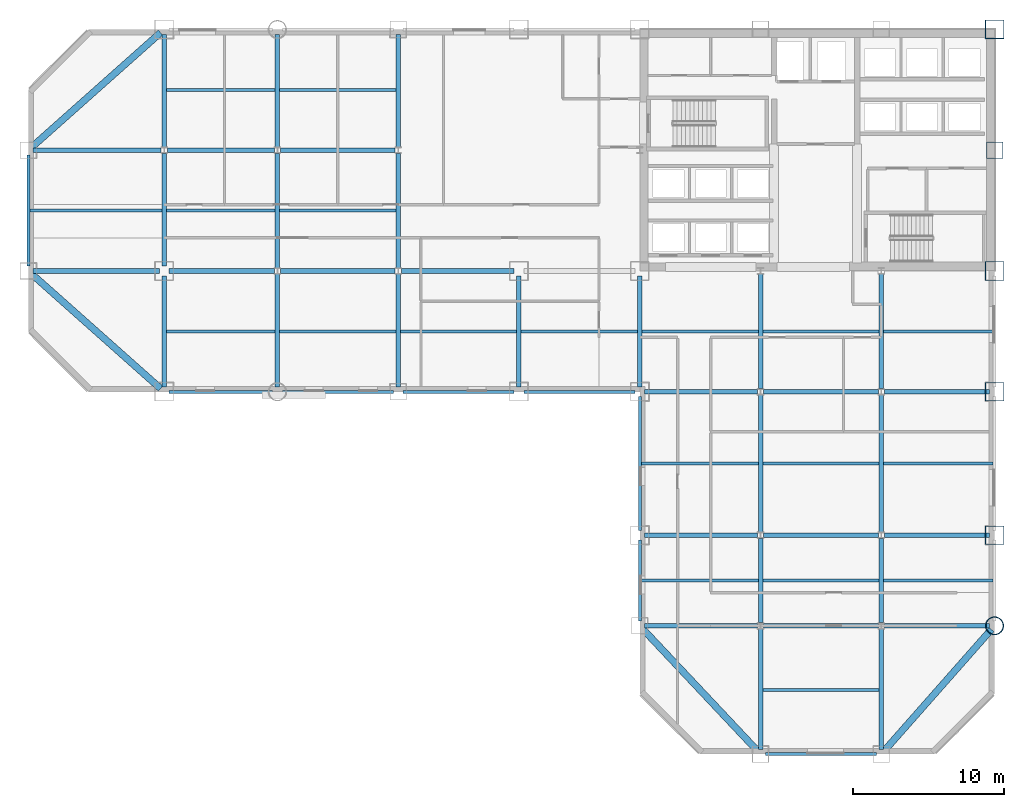
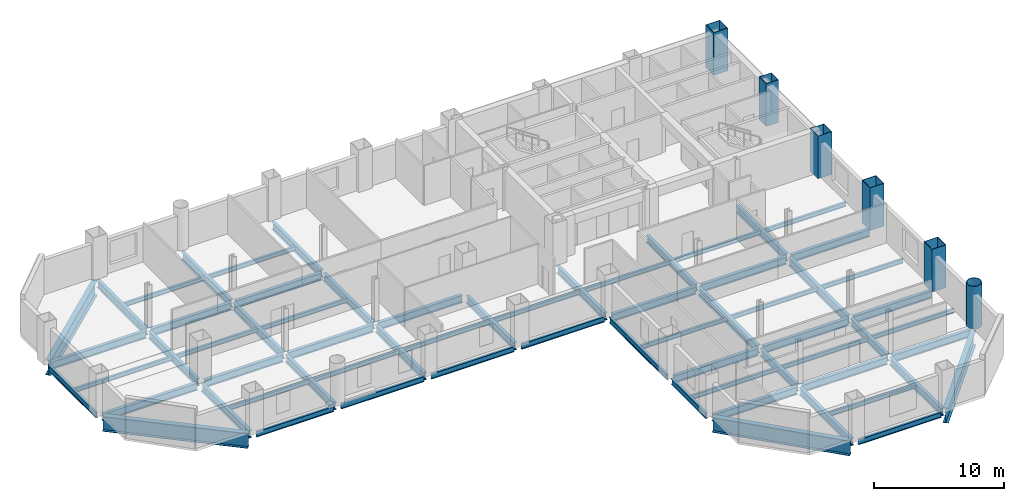
# One storey, part 3 of 9: 66 beams, 6 columns.
"""IFC4 building model written with IfcOpenShell, lengths in metres."""

import ifcopenshell
import ifcopenshell.guid

model = None  # the IFC model being written
_history = None  # IfcOwnerHistory: only IFC2X3 demands one
_inside = {}  # id of a spatial element -> (the spatial element, [elements in it])
_under = {}  # id of a project, library or spatial element -> (it, [spatial elements below it])
_declared = {}  # id of a project -> (the project, [libraries it declares])
_typed = {}  # id of a type object -> (the type object, [elements of that type])
_made_of = {}  # id of a material, layer set ... -> (it, [elements and type objects made of it])


def new_model(schema):
    """Start an empty IFC model of exactly this schema.

    Asked for "IFC4X3", IfcOpenShell would pick the latest addendum, in which some entities
    have other attributes; the version numbers below select the first issue.
    IFC2X3 requires an IfcOwnerHistory on every rooted entity: one is made here for all.
    """
    global model, _history
    if schema == "IFC4X3":
        model = ifcopenshell.file(schema_version=(4, 3, 0, 0))
    else:
        model = ifcopenshell.file(schema=schema)
    _inside.clear()
    _under.clear()
    _declared.clear()
    _typed.clear()
    _made_of.clear()
    _history = None
    if model.schema == "IFC2X3":
        org = make("IfcOrganization", Name="unknown")
        user = make(
            "IfcPersonAndOrganization",
            ThePerson=make("IfcPerson", FamilyName="unknown"),
            TheOrganization=org,
        )
        app = make(
            "IfcApplication",
            ApplicationDeveloper=org,
            Version="unknown",
            ApplicationFullName="unknown",
            ApplicationIdentifier="unknown",
        )
        _history = make(
            "IfcOwnerHistory",
            OwningUser=user,
            OwningApplication=app,
            ChangeAction="ADDED",
            CreationDate=0,
        )
    return model


def make(cls, **values):
    """One entity of the class cls with the attributes given. An attribute that is None is left unset."""
    return model.create_entity(
        cls, **{name: value for name, value in values.items() if value is not None}
    )


def rooted(cls, **values):
    """An entity with a GlobalId (a new one), such as an element, a storey or a relation."""
    return make(cls, GlobalId=ifcopenshell.guid.new(), OwnerHistory=_history, **values)


def si_unit(unit_type, name, prefix=None):
    """IfcSIUnit, for example si_unit("LENGTHUNIT", "METRE", prefix="MILLI")."""
    return make("IfcSIUnit", UnitType=unit_type, Prefix=prefix, Name=name)


def assignment(units):
    """IfcUnitAssignment: the units of a project."""
    return None if units is None else make("IfcUnitAssignment", Units=units)


def point(xyz):
    """IfcCartesianPoint."""
    return None if xyz is None else make("IfcCartesianPoint", Coordinates=xyz)


def direction(xyz):
    """IfcDirection."""
    return None if xyz is None else make("IfcDirection", DirectionRatios=xyz)


def frame(location, z_axis=None, x_axis=None):
    """IfcAxis2Placement3D, a coordinate frame: its origin and axes. An axis left out is left unset."""
    return make(
        "IfcAxis2Placement3D",
        Location=point(location),
        Axis=direction(z_axis),
        RefDirection=direction(x_axis),
    )


def frame_2d(location, x_axis=None):
    """IfcAxis2Placement2D, a coordinate frame in the plane: its origin and x axis."""
    return make(
        "IfcAxis2Placement2D", Location=point(location), RefDirection=direction(x_axis)
    )


def origin():
    """The frame at (0, 0, 0) with its axes left unset."""
    return frame((0.0, 0.0, 0.0))


def origin_2d():
    """The frame at (0, 0) in the plane with its x axis left unset."""
    return frame_2d((0.0, 0.0))


def place(relative_to, where):
    """IfcLocalPlacement: puts the frame where relative to a parent placement (None: the world)."""
    return make(
        "IfcLocalPlacement", PlacementRelTo=relative_to, RelativePlacement=where
    )


def context(
    kind, dimensions, precision=None, world=None, true_north=None, identifier=None
):
    """IfcGeometricRepresentationContext, for example the 3D "Model" context."""
    return make(
        "IfcGeometricRepresentationContext",
        ContextIdentifier=identifier,
        ContextType=kind,
        CoordinateSpaceDimension=dimensions,
        Precision=precision,
        WorldCoordinateSystem=world,
        TrueNorth=true_north,
    )


def subcontext(parent, identifier, kind, view, scale=None):
    """IfcGeometricRepresentationSubContext, for example "Body" below "Model"."""
    return make(
        "IfcGeometricRepresentationSubContext",
        ContextIdentifier=identifier,
        ContextType=kind,
        ParentContext=parent,
        TargetScale=scale,
        TargetView=view,
    )


def project(units=None, contexts=None):
    """IfcProject with its units and contexts."""
    return rooted(
        "IfcProject",
        Name="project",
        RepresentationContexts=contexts,
        UnitsInContext=assignment(units),
    )


def spatial(cls, under=None, at=None, **own):
    """A site, building, storey or space (cls), placed at a placement, below another one or the project."""
    s = rooted(cls, ObjectPlacement=at, **own)
    if under is not None:
        _under.setdefault(under.id(), (under, []))[1].append(s)
    return s


def profile(cls, at=None, kind="AREA", **sizes):
    """A parametric profile (cls). Its sizes go by their IFC names, for example OverallWidth=200.0."""
    return make(cls, ProfileType=kind, Position=at, **sizes)


def hollow_rectangle(**sizes):
    """IfcRectangleHollowProfileDef."""
    return profile("IfcRectangleHollowProfileDef", **sizes)


def hollow_circle(**sizes):
    """IfcCircleHollowProfileDef."""
    return profile("IfcCircleHollowProfileDef", **sizes)


def i_section(**sizes):
    """IfcIShapeProfileDef."""
    return profile("IfcIShapeProfileDef", **sizes)


def extrude(swept, where, along, depth):
    """IfcExtrudedAreaSolid: the profile swept, set in the frame where, extruded along a direction by depth."""
    return make(
        "IfcExtrudedAreaSolid",
        SweptArea=swept,
        Position=where,
        ExtrudedDirection=direction(along),
        Depth=depth,
    )


def shape(context_of_items, identifier, shape_type, items):
    """IfcShapeRepresentation: the items that make up one representation, for example the "Body"."""
    return make(
        "IfcShapeRepresentation",
        ContextOfItems=context_of_items,
        RepresentationIdentifier=identifier,
        RepresentationType=shape_type,
        Items=items,
    )


def material(Name=None, Category=None):
    """IfcMaterial."""
    return make("IfcMaterial", Name=Name, Category=Category)


def material_profile(
    of_material, cross_section, Name=None, Category=None, Priority=None
):
    """IfcMaterialProfile: a cross section and its material."""
    return make(
        "IfcMaterialProfile",
        Name=Name,
        Material=of_material,
        Profile=cross_section,
        Priority=Priority,
        Category=Category,
    )


def profile_set(profiles, Name=None, composite=None):
    """IfcMaterialProfileSet."""
    return make(
        "IfcMaterialProfileSet",
        Name=Name,
        MaterialProfiles=profiles,
        CompositeProfile=composite,
    )


def made_of(thing, what):
    """Note that an element or type object is made of a material, layer set ...; save() writes the relation."""
    if what is not None:
        _made_of.setdefault(what.id(), (what, []))[1].append(thing)
    return thing


def type_object(cls, material=None, **own):
    """A type object (cls), such as IfcWallType, which elements share."""
    return made_of(rooted(cls, **own), material)


def element(
    cls,
    number,
    at=None,
    inside=None,
    cuts=None,
    type_object=None,
    material=None,
    context=None,
    identifier="Body",
    shape_type=None,
    held_by="IfcProductDefinitionShape",
    body=None,
    shapes=None,
    **own,
):
    """One element of the class cls, such as IfcWall. Its Tag is "e" and its number.

    at: its placement. inside: the storey or other place that contains it. cuts: it is an
    opening in that element (IfcRelVoidsElement). A single representation is given by context,
    identifier, shape_type and body (its items); several are given by shapes. held_by: the class
    of the entity that holds the representations. save() writes the other relations.
    """
    e = rooted(cls, Tag="e%d" % number, ObjectPlacement=at, **own)
    if body is not None:
        shapes = [shape(context, identifier, shape_type, body)]
    if shapes is not None:
        e.Representation = make(held_by, Representations=shapes)
    if inside is not None:
        _inside.setdefault(inside.id(), (inside, []))[1].append(e)
    if cuts is not None:
        rooted(
            "IfcRelVoidsElement", RelatingBuildingElement=cuts, RelatedOpeningElement=e
        )
    if type_object is not None:
        _typed.setdefault(type_object.id(), (type_object, []))[1].append(e)
    return made_of(e, material)


def aggregate(whole, parts):
    """IfcRelAggregates: a whole, such as a stair, and the parts it consists of."""
    return rooted("IfcRelAggregates", RelatingObject=whole, RelatedObjects=parts)


def save(model, path):
    """Write the relations noted so far, then the file.

    IfcRelAggregates (storeys below a building ...), IfcRelContainedInSpatialStructure (elements
    in a storey), IfcRelDefinesByType, IfcRelAssociatesMaterial and IfcRelDeclares: one each for
    every whole, place, type object, material and project.
    """
    for whole, parts in _under.values():
        aggregate(whole, parts)
    for where, things in _inside.values():
        rooted(
            "IfcRelContainedInSpatialStructure",
            RelatedElements=things,
            RelatingStructure=where,
        )
    for kind, things in _typed.values():
        rooted("IfcRelDefinesByType", RelatedObjects=things, RelatingType=kind)
    for what, things in _made_of.values():
        rooted("IfcRelAssociatesMaterial", RelatedObjects=things, RelatingMaterial=what)
    for by, libraries in _declared.values():
        rooted("IfcRelDeclares", RelatingContext=by, RelatedDefinitions=libraries)
    model.write(path)


model = new_model("IFC4")

# Units and contexts
model_context = context("Model", 3, precision=1e-05, world=origin(), true_north=direction((0.0, 1.0)))
body_context = subcontext(model_context, "Body", "Model", "MODEL_VIEW")
ifc_project = project(units=[si_unit("LENGTHUNIT", "METRE"), si_unit("AREAUNIT", "SQUARE_METRE"), si_unit("VOLUMEUNIT", "CUBIC_METRE"), si_unit("PLANEANGLEUNIT", "RADIAN"), si_unit("MASSUNIT", "GRAM", prefix="KILO")], contexts=[model_context])

# Site, building, storey
site_placement = place(None, origin())
site = spatial("IfcSite", under=ifc_project, at=site_placement, CompositionType="ELEMENT")
building_placement = place(site_placement, origin())
building = spatial("IfcBuilding", under=site, at=building_placement, Name="Qianrong Seaharbour Tower", CompositionType="ELEMENT")
storey_placement = place(building_placement, frame((0.0, 0.0, 84.199951171875)))
storey = spatial("IfcBuildingStorey", under=building, at=storey_placement, Name="L20", CompositionType="ELEMENT", Elevation=84.199951171875)

# Columns
ifc_material_1 = material(Name="Structural steel SN490B", Category="steel")
ifc_material_profile_1 = material_profile(ifc_material_1, hollow_rectangle(XDim=1.25, YDim=1.25, WallThickness=0.044921875, at=origin_2d()), Name="BOX1250x1250x45")
ifc_profile_set_1 = profile_set([ifc_material_profile_1], Name="Structural steel SN490B")
column_type_1 = type_object("IfcColumnType", Name="COL-CFT-1250", PredefinedType="COLUMN", material=ifc_profile_set_1)
for number, where, z_axis, x_axis, name in (
    (1, (64.0, 18.5, 0.0), (0.0, 0.0, 1.0), (1.0, 0.0, 0.0), "L20 Column MC-2 at G9/GD"),
    (2, (64.0, 28.0, 0.0), (0.0, 0.0, 1.0), (1.0, 0.0, 0.0), "L20 Column MC-2 at G9/GE"),
    (3, (64.0, 36.0, 0.0), (0.0, 0.0, 1.0), (1.0, 0.0, 0.0), "L20 Column MC-2 at G9/GF"),
    (4, (64.0, 52.0, 0.0), (0.0, 0.0, 1.0), (1.0, 0.0, 0.0), "L20 Column MC-2 at G9/GH"),
):
    element("IfcColumn", number, at=place(storey_placement, frame(where, z_axis=z_axis, x_axis=x_axis)), inside=storey, type_object=column_type_1, Name=name, PredefinedType="COLUMN", context=body_context, shape_type="SweptSolid", body=[
        extrude(hollow_rectangle(XDim=1.25, YDim=1.25, WallThickness=0.044921875, at=origin_2d()), origin(), (0.0, 0.0, 1.0), 4.0),
    ])
ifc_material_profile_2 = material_profile(ifc_material_1, hollow_circle(Radius=0.60009765625, WallThickness=0.0400390625, at=origin_2d()), Name="CHS1200x40")
ifc_profile_set_2 = profile_set([ifc_material_profile_2], Name="Structural steel SN490B")
column_type_2 = type_object("IfcColumnType", Name="COL-CHS-1200", PredefinedType="COLUMN", material=ifc_profile_set_2)
column_1_placement = place(storey_placement, frame((64.0, 12.5, 0.0), z_axis=(0.0, 0.0, 1.0), x_axis=(1.0, 0.0, 0.0)))
element("IfcColumn", 5, at=column_1_placement, inside=storey, type_object=column_type_2, Name="L20 Column CC-1 at G9/GC", PredefinedType="COLUMN", context=body_context, shape_type="SweptSolid", body=[
    extrude(hollow_circle(Radius=0.60009765625, WallThickness=0.0400390625, at=origin_2d()), origin(), (0.0, 0.0, 1.0), 4.0),
])
ifc_material_profile_3 = material_profile(ifc_material_1, hollow_rectangle(XDim=1.10009765625, YDim=1.10009765625, WallThickness=0.0400390625, at=origin_2d()), Name="BOX1100x1100x40")
ifc_profile_set_3 = profile_set([ifc_material_profile_3], Name="Structural steel SN490B")
column_type_3 = type_object("IfcColumnType", Name="COL-PER-1100", PredefinedType="COLUMN", material=ifc_profile_set_3)
column_2_placement = place(storey_placement, frame((64.0, 44.0, 0.0), z_axis=(0.0, 0.0, 1.0), x_axis=(1.0, 0.0, 0.0)))
element("IfcColumn", 6, at=column_2_placement, inside=storey, type_object=column_type_3, Name="L20 Column PC-1 at G9/GG", PredefinedType="COLUMN", context=body_context, shape_type="SweptSolid", body=[
    extrude(hollow_rectangle(XDim=1.10009765625, YDim=1.10009765625, WallThickness=0.0400390625, at=origin_2d()), origin(), (0.0, 0.0, 1.0), 4.0),
])

# Beams
ifc_material_profile_4 = material_profile(ifc_material_1, i_section(OverallWidth=0.300048828125, OverallDepth=0.699951171875, WebThickness=0.012939453125, FlangeThickness=0.02392578125, FilletRadius=0.02587890625, at=origin_2d()), Name="H700x300x13x24")
ifc_profile_set_4 = profile_set([ifc_material_profile_4], Name="Structural steel SN490B")
beam_type_1 = type_object("IfcBeamType", Name="BM-G-700", PredefinedType="BEAM", material=ifc_profile_set_4)
beam_1_placement = place(storey_placement, frame((40.820068359375, 12.5, -0.599853515625), z_axis=(1.0, 0.0, 0.0), x_axis=(0.0, 1.0, 0.0)))
element("IfcBeam", 7, at=beam_1_placement, inside=storey, type_object=beam_type_1, Name="L20 Primary Girder GC G6-G7", PredefinedType="BEAM", context=body_context, shape_type="SweptSolid", body=[
    extrude(i_section(OverallWidth=0.300048828125, OverallDepth=0.699951171875, WebThickness=0.012939453125, FlangeThickness=0.02392578125, FilletRadius=0.02587890625, at=origin_2d()), origin(), (0.0, 0.0, 1.0), 7.476318359375),
])
beam_2_placement = place(storey_placement, frame((48.70361328125, 12.5, -0.599853515625), z_axis=(1.0, 0.0, 0.0), x_axis=(0.0, 1.0, 0.0)))
element("IfcBeam", 8, at=beam_2_placement, inside=storey, type_object=beam_type_1, Name="L20 Primary Girder GC G7-G8", PredefinedType="BEAM", context=body_context, shape_type="SweptSolid", body=[
    extrude(i_section(OverallWidth=0.300048828125, OverallDepth=0.699951171875, WebThickness=0.012939453125, FlangeThickness=0.02392578125, FilletRadius=0.02587890625, at=origin_2d()), origin(), (0.0, 0.0, 1.0), 7.5927734375),
])
beam_3_placement = place(storey_placement, frame((56.70361328125, 12.5, -0.599853515625), z_axis=(1.0, 0.0, 0.0), x_axis=(0.0, 1.0, 0.0)))
element("IfcBeam", 9, at=beam_3_placement, inside=storey, type_object=beam_type_1, Name="L20 Primary Girder GC G8-G9", PredefinedType="BEAM", context=body_context, shape_type="SweptSolid", body=[
    extrude(i_section(OverallWidth=0.300048828125, OverallDepth=0.699951171875, WebThickness=0.012939453125, FlangeThickness=0.02392578125, FilletRadius=0.02587890625, at=origin_2d()), origin(), (0.0, 0.0, 1.0), 6.976318359375),
])
beam_4_placement = place(storey_placement, frame((40.820068359375, 18.5, -0.599853515625), z_axis=(1.0, 0.0, 0.0), x_axis=(0.0, 1.0, 0.0)))
element("IfcBeam", 10, at=beam_4_placement, inside=storey, type_object=beam_type_1, Name="L20 Primary Girder GD G6-G7", PredefinedType="BEAM", context=body_context, shape_type="SweptSolid", body=[
    extrude(i_section(OverallWidth=0.300048828125, OverallDepth=0.699951171875, WebThickness=0.012939453125, FlangeThickness=0.02392578125, FilletRadius=0.02587890625, at=origin_2d()), origin(), (0.0, 0.0, 1.0), 7.476318359375),
])
beam_5_placement = place(storey_placement, frame((48.70361328125, 18.5, -0.599853515625), z_axis=(1.0, 0.0, 0.0), x_axis=(0.0, 1.0, 0.0)))
element("IfcBeam", 11, at=beam_5_placement, inside=storey, type_object=beam_type_1, Name="L20 Primary Girder GD G7-G8", PredefinedType="BEAM", context=body_context, shape_type="SweptSolid", body=[
    extrude(i_section(OverallWidth=0.300048828125, OverallDepth=0.699951171875, WebThickness=0.012939453125, FlangeThickness=0.02392578125, FilletRadius=0.02587890625, at=origin_2d()), origin(), (0.0, 0.0, 1.0), 7.5927734375),
])
beam_6_placement = place(storey_placement, frame((56.70361328125, 18.5, -0.599853515625), z_axis=(1.0, 0.0, 0.0), x_axis=(0.0, 1.0, 0.0)))
element("IfcBeam", 12, at=beam_6_placement, inside=storey, type_object=beam_type_1, Name="L20 Primary Girder GD G8-G9", PredefinedType="BEAM", context=body_context, shape_type="SweptSolid", body=[
    extrude(i_section(OverallWidth=0.300048828125, OverallDepth=0.699951171875, WebThickness=0.012939453125, FlangeThickness=0.02392578125, FilletRadius=0.02587890625, at=origin_2d()), origin(), (0.0, 0.0, 1.0), 6.976318359375),
])
beam_7_placement = place(storey_placement, frame((40.820068359375, 28.0, -0.599853515625), z_axis=(1.0, 0.0, 0.0), x_axis=(0.0, 1.0, 0.0)))
element("IfcBeam", 13, at=beam_7_placement, inside=storey, type_object=beam_type_1, Name="L20 Primary Girder GE G6-G7", PredefinedType="BEAM", context=body_context, shape_type="SweptSolid", body=[
    extrude(i_section(OverallWidth=0.300048828125, OverallDepth=0.699951171875, WebThickness=0.012939453125, FlangeThickness=0.02392578125, FilletRadius=0.02587890625, at=origin_2d()), origin(), (0.0, 0.0, 1.0), 7.476318359375),
])
beam_8_placement = place(storey_placement, frame((48.70361328125, 28.0, -0.599853515625), z_axis=(1.0, 0.0, 0.0), x_axis=(0.0, 1.0, 0.0)))
element("IfcBeam", 14, at=beam_8_placement, inside=storey, type_object=beam_type_1, Name="L20 Primary Girder GE G7-G8", PredefinedType="BEAM", context=body_context, shape_type="SweptSolid", body=[
    extrude(i_section(OverallWidth=0.300048828125, OverallDepth=0.699951171875, WebThickness=0.012939453125, FlangeThickness=0.02392578125, FilletRadius=0.02587890625, at=origin_2d()), origin(), (0.0, 0.0, 1.0), 7.5927734375),
])
beam_9_placement = place(storey_placement, frame((56.70361328125, 28.0, -0.599853515625), z_axis=(1.0, 0.0, 0.0), x_axis=(0.0, 1.0, 0.0)))
element("IfcBeam", 15, at=beam_9_placement, inside=storey, type_object=beam_type_1, Name="L20 Primary Girder GE G8-G9", PredefinedType="BEAM", context=body_context, shape_type="SweptSolid", body=[
    extrude(i_section(OverallWidth=0.300048828125, OverallDepth=0.699951171875, WebThickness=0.012939453125, FlangeThickness=0.02392578125, FilletRadius=0.02587890625, at=origin_2d()), origin(), (0.0, 0.0, 1.0), 6.976318359375),
])
beam_10_placement = place(storey_placement, frame((0.320068359375, 36.0, -0.599853515625), z_axis=(1.0, 0.0, 0.0), x_axis=(0.0, 1.0, 0.0)))
element("IfcBeam", 16, at=beam_10_placement, inside=storey, type_object=beam_type_1, Name="L20 Primary Girder GF G1-G2", PredefinedType="BEAM", context=body_context, shape_type="SweptSolid", body=[
    extrude(i_section(OverallWidth=0.300048828125, OverallDepth=0.699951171875, WebThickness=0.012939453125, FlangeThickness=0.02392578125, FilletRadius=0.02587890625, at=origin_2d()), origin(), (0.0, 0.0, 1.0), 8.35986328125),
])
beam_11_placement = place(storey_placement, frame((9.320068359375, 36.0, -0.599853515625), z_axis=(1.0, 0.0, 0.0), x_axis=(0.0, 1.0, 0.0)))
element("IfcBeam", 17, at=beam_11_placement, inside=storey, type_object=beam_type_1, Name="L20 Primary Girder GF G2-G3", PredefinedType="BEAM", context=body_context, shape_type="SweptSolid", body=[
    extrude(i_section(OverallWidth=0.300048828125, OverallDepth=0.699951171875, WebThickness=0.012939453125, FlangeThickness=0.02392578125, FilletRadius=0.02587890625, at=origin_2d()), origin(), (0.0, 0.0, 1.0), 6.976318359375),
])
beam_12_placement = place(storey_placement, frame((16.70361328125, 36.0, -0.599853515625), z_axis=(1.0, 0.0, 0.0), x_axis=(0.0, 1.0, 0.0)))
element("IfcBeam", 18, at=beam_12_placement, inside=storey, type_object=beam_type_1, Name="L20 Primary Girder GF G3-G4", PredefinedType="BEAM", context=body_context, shape_type="SweptSolid", body=[
    extrude(i_section(OverallWidth=0.300048828125, OverallDepth=0.699951171875, WebThickness=0.012939453125, FlangeThickness=0.02392578125, FilletRadius=0.02587890625, at=origin_2d()), origin(), (0.0, 0.0, 1.0), 7.5927734375),
])
beam_13_placement = place(storey_placement, frame((24.70361328125, 36.0, -0.599853515625), z_axis=(1.0, 0.0, 0.0), x_axis=(0.0, 1.0, 0.0)))
element("IfcBeam", 19, at=beam_13_placement, inside=storey, type_object=beam_type_1, Name="L20 Primary Girder GF G4-G5", PredefinedType="BEAM", context=body_context, shape_type="SweptSolid", body=[
    extrude(i_section(OverallWidth=0.300048828125, OverallDepth=0.699951171875, WebThickness=0.012939453125, FlangeThickness=0.02392578125, FilletRadius=0.02587890625, at=origin_2d()), origin(), (0.0, 0.0, 1.0), 7.476318359375),
])
beam_14_placement = place(storey_placement, frame((0.320068359375, 44.0, -0.599853515625), z_axis=(1.0, 0.0, 0.0), x_axis=(0.0, 1.0, 0.0)))
element("IfcBeam", 20, at=beam_14_placement, inside=storey, type_object=beam_type_1, Name="L20 Primary Girder GG G1-G2", PredefinedType="BEAM", context=body_context, shape_type="SweptSolid", body=[
    extrude(i_section(OverallWidth=0.300048828125, OverallDepth=0.699951171875, WebThickness=0.012939453125, FlangeThickness=0.02392578125, FilletRadius=0.02587890625, at=origin_2d()), origin(), (0.0, 0.0, 1.0), 8.476318359375),
])
beam_15_placement = place(storey_placement, frame((9.20361328125, 44.0, -0.599853515625), z_axis=(1.0, 0.0, 0.0), x_axis=(0.0, 1.0, 0.0)))
element("IfcBeam", 21, at=beam_15_placement, inside=storey, type_object=beam_type_1, Name="L20 Primary Girder GG G2-G3", PredefinedType="BEAM", context=body_context, shape_type="SweptSolid", body=[
    extrude(i_section(OverallWidth=0.300048828125, OverallDepth=0.699951171875, WebThickness=0.012939453125, FlangeThickness=0.02392578125, FilletRadius=0.02587890625, at=origin_2d()), origin(), (0.0, 0.0, 1.0), 7.0927734375),
])
beam_16_placement = place(storey_placement, frame((16.70361328125, 44.0, -0.599853515625), z_axis=(1.0, 0.0, 0.0), x_axis=(0.0, 1.0, 0.0)))
element("IfcBeam", 22, at=beam_16_placement, inside=storey, type_object=beam_type_1, Name="L20 Primary Girder GG G3-G4", PredefinedType="BEAM", context=body_context, shape_type="SweptSolid", body=[
    extrude(i_section(OverallWidth=0.300048828125, OverallDepth=0.699951171875, WebThickness=0.012939453125, FlangeThickness=0.02392578125, FilletRadius=0.02587890625, at=origin_2d()), origin(), (0.0, 0.0, 1.0), 7.5927734375),
])
beam_17_placement = place(storey_placement, frame((9.0, 28.320068359375, -0.599853515625), z_axis=(0.0, 1.0, 0.0), x_axis=(-1.0, 0.0, 0.0)))
element("IfcBeam", 23, at=beam_17_placement, inside=storey, type_object=beam_type_1, Name="L20 Primary Girder G2 GE-GF", PredefinedType="BEAM", context=body_context, shape_type="SweptSolid", body=[
    extrude(i_section(OverallWidth=0.300048828125, OverallDepth=0.699951171875, WebThickness=0.012939453125, FlangeThickness=0.02392578125, FilletRadius=0.02587890625, at=origin_2d()), origin(), (0.0, 0.0, 1.0), 7.35986328125),
])
for number, where, z_axis, x_axis, name in (
    (24, (9.0, 36.320068359375, -0.599853515625), (0.0, 1.0, 0.0), (-1.0, 0.0, 0.0), "L20 Primary Girder G2 GF-GG"),
    (25, (9.0, 44.214111328125, -0.599853515625), (0.0, 1.0, 0.0), (-1.0, 0.0, 0.0), "L20 Primary Girder G2 GG-GH"),
    (26, (16.5, 28.320068359375, -0.599853515625), (0.0, 1.0, 0.0), (-1.0, 0.0, 0.0), "L20 Primary Girder G3 GE-GF"),
):
    element("IfcBeam", number, at=place(storey_placement, frame(where, z_axis=z_axis, x_axis=x_axis)), inside=storey, type_object=beam_type_1, Name=name, PredefinedType="BEAM", context=body_context, shape_type="SweptSolid", body=[
        extrude(i_section(OverallWidth=0.300048828125, OverallDepth=0.699951171875, WebThickness=0.012939453125, FlangeThickness=0.02392578125, FilletRadius=0.02587890625, at=origin_2d()), origin(), (0.0, 0.0, 1.0), 7.4658203125),
    ])
beam_18_placement = place(storey_placement, frame((16.5, 36.214111328125, -0.599853515625), z_axis=(0.0, 1.0, 0.0), x_axis=(-1.0, 0.0, 0.0)))
element("IfcBeam", 27, at=beam_18_placement, inside=storey, type_object=beam_type_1, Name="L20 Primary Girder G3 GF-GG", PredefinedType="BEAM", context=body_context, shape_type="SweptSolid", body=[
    extrude(i_section(OverallWidth=0.300048828125, OverallDepth=0.699951171875, WebThickness=0.012939453125, FlangeThickness=0.02392578125, FilletRadius=0.02587890625, at=origin_2d()), origin(), (0.0, 0.0, 1.0), 7.57177734375),
])
for number, where, z_axis, x_axis, name in (
    (28, (16.5, 44.214111328125, -0.599853515625), (0.0, 1.0, 0.0), (-1.0, 0.0, 0.0), "L20 Primary Girder G3 GG-GH"),
    (29, (24.5, 28.320068359375, -0.599853515625), (0.0, 1.0, 0.0), (-1.0, 0.0, 0.0), "L20 Primary Girder G4 GE-GF"),
):
    element("IfcBeam", number, at=place(storey_placement, frame(where, z_axis=z_axis, x_axis=x_axis)), inside=storey, type_object=beam_type_1, Name=name, PredefinedType="BEAM", context=body_context, shape_type="SweptSolid", body=[
        extrude(i_section(OverallWidth=0.300048828125, OverallDepth=0.699951171875, WebThickness=0.012939453125, FlangeThickness=0.02392578125, FilletRadius=0.02587890625, at=origin_2d()), origin(), (0.0, 0.0, 1.0), 7.4658203125),
    ])
beam_19_placement = place(storey_placement, frame((24.5, 36.214111328125, -0.599853515625), z_axis=(0.0, 1.0, 0.0), x_axis=(-1.0, 0.0, 0.0)))
element("IfcBeam", 30, at=beam_19_placement, inside=storey, type_object=beam_type_1, Name="L20 Primary Girder G4 GF-GG", PredefinedType="BEAM", context=body_context, shape_type="SweptSolid", body=[
    extrude(i_section(OverallWidth=0.300048828125, OverallDepth=0.699951171875, WebThickness=0.012939453125, FlangeThickness=0.02392578125, FilletRadius=0.02587890625, at=origin_2d()), origin(), (0.0, 0.0, 1.0), 7.57177734375),
])
beam_20_placement = place(storey_placement, frame((24.5, 44.214111328125, -0.599853515625), z_axis=(0.0, 1.0, 0.0), x_axis=(-1.0, 0.0, 0.0)))
element("IfcBeam", 31, at=beam_20_placement, inside=storey, type_object=beam_type_1, Name="L20 Primary Girder G4 GG-GH", PredefinedType="BEAM", context=body_context, shape_type="SweptSolid", body=[
    extrude(i_section(OverallWidth=0.300048828125, OverallDepth=0.699951171875, WebThickness=0.012939453125, FlangeThickness=0.02392578125, FilletRadius=0.02587890625, at=origin_2d()), origin(), (0.0, 0.0, 1.0), 7.4658203125),
])
for number, where, z_axis, x_axis, name in (
    (32, (32.5, 28.320068359375, -0.599853515625), (0.0, 1.0, 0.0), (-1.0, 0.0, 0.0), "L20 Primary Girder G5 GE-GF"),
    (33, (40.5, 28.320068359375, -0.599853515625), (0.0, 1.0, 0.0), (-1.0, 0.0, 0.0), "L20 Primary Girder G6 GE-GF"),
):
    element("IfcBeam", number, at=place(storey_placement, frame(where, z_axis=z_axis, x_axis=x_axis)), inside=storey, type_object=beam_type_1, Name=name, PredefinedType="BEAM", context=body_context, shape_type="SweptSolid", body=[
        extrude(i_section(OverallWidth=0.300048828125, OverallDepth=0.699951171875, WebThickness=0.012939453125, FlangeThickness=0.02392578125, FilletRadius=0.02587890625, at=origin_2d()), origin(), (0.0, 0.0, 1.0), 7.35986328125),
    ])
beam_21_placement = place(storey_placement, frame((48.5, 4.320068359375, -0.599853515625), z_axis=(0.0, 1.0, 0.0), x_axis=(-1.0, 0.0, 0.0)))
element("IfcBeam", 34, at=beam_21_placement, inside=storey, type_object=beam_type_1, Name="L20 Primary Girder G7 GB-GC", PredefinedType="BEAM", context=body_context, shape_type="SweptSolid", body=[
    extrude(i_section(OverallWidth=0.300048828125, OverallDepth=0.699951171875, WebThickness=0.012939453125, FlangeThickness=0.02392578125, FilletRadius=0.02587890625, at=origin_2d()), origin(), (0.0, 0.0, 1.0), 7.9658203125),
])
beam_22_placement = place(storey_placement, frame((48.5, 12.714111328125, -0.599853515625), z_axis=(0.0, 1.0, 0.0), x_axis=(-1.0, 0.0, 0.0)))
element("IfcBeam", 35, at=beam_22_placement, inside=storey, type_object=beam_type_1, Name="L20 Primary Girder G7 GC-GD", PredefinedType="BEAM", context=body_context, shape_type="SweptSolid", body=[
    extrude(i_section(OverallWidth=0.300048828125, OverallDepth=0.699951171875, WebThickness=0.012939453125, FlangeThickness=0.02392578125, FilletRadius=0.02587890625, at=origin_2d()), origin(), (0.0, 0.0, 1.0), 5.57177734375),
])
beam_23_placement = place(storey_placement, frame((48.5, 28.214111328125, -0.599853515625), z_axis=(0.0, 1.0, 0.0), x_axis=(-1.0, 0.0, 0.0)))
element("IfcBeam", 36, at=beam_23_placement, inside=storey, type_object=beam_type_1, Name="L20 Primary Girder G7 GE-GF", PredefinedType="BEAM", context=body_context, shape_type="SweptSolid", body=[
    extrude(i_section(OverallWidth=0.300048828125, OverallDepth=0.699951171875, WebThickness=0.012939453125, FlangeThickness=0.02392578125, FilletRadius=0.02587890625, at=origin_2d()), origin(), (0.0, 0.0, 1.0), 7.57177734375),
])
beam_24_placement = place(storey_placement, frame((56.5, 4.320068359375, -0.599853515625), z_axis=(0.0, 1.0, 0.0), x_axis=(-1.0, 0.0, 0.0)))
element("IfcBeam", 37, at=beam_24_placement, inside=storey, type_object=beam_type_1, Name="L20 Primary Girder G8 GB-GC", PredefinedType="BEAM", context=body_context, shape_type="SweptSolid", body=[
    extrude(i_section(OverallWidth=0.300048828125, OverallDepth=0.699951171875, WebThickness=0.012939453125, FlangeThickness=0.02392578125, FilletRadius=0.02587890625, at=origin_2d()), origin(), (0.0, 0.0, 1.0), 7.9658203125),
])
beam_25_placement = place(storey_placement, frame((56.5, 12.714111328125, -0.599853515625), z_axis=(0.0, 1.0, 0.0), x_axis=(-1.0, 0.0, 0.0)))
element("IfcBeam", 38, at=beam_25_placement, inside=storey, type_object=beam_type_1, Name="L20 Primary Girder G8 GC-GD", PredefinedType="BEAM", context=body_context, shape_type="SweptSolid", body=[
    extrude(i_section(OverallWidth=0.300048828125, OverallDepth=0.699951171875, WebThickness=0.012939453125, FlangeThickness=0.02392578125, FilletRadius=0.02587890625, at=origin_2d()), origin(), (0.0, 0.0, 1.0), 5.57177734375),
])
beam_26_placement = place(storey_placement, frame((56.5, 28.214111328125, -0.599853515625), z_axis=(0.0, 1.0, 0.0), x_axis=(-1.0, 0.0, 0.0)))
element("IfcBeam", 39, at=beam_26_placement, inside=storey, type_object=beam_type_1, Name="L20 Primary Girder G8 GE-GF", PredefinedType="BEAM", context=body_context, shape_type="SweptSolid", body=[
    extrude(i_section(OverallWidth=0.300048828125, OverallDepth=0.699951171875, WebThickness=0.012939453125, FlangeThickness=0.02392578125, FilletRadius=0.02587890625, at=origin_2d()), origin(), (0.0, 0.0, 1.0), 7.57177734375),
])
ifc_material_profile_5 = material_profile(ifc_material_1, i_section(OverallWidth=0.300048828125, OverallDepth=0.800048828125, WebThickness=0.013916015625, FlangeThickness=0.02587890625, FilletRadius=0.028076171875, at=origin_2d()), Name="H800x300x14x26")
ifc_profile_set_5 = profile_set([ifc_material_profile_5], Name="Structural steel SN490B")
beam_type_2 = type_object("IfcBeamType", Name="BM-G-800", PredefinedType="BEAM", material=ifc_profile_set_5)
for number, where, z_axis, x_axis, name in (
    (40, (48.5, 18.714111328125, -0.64990234375), (0.0, 1.0, 0.0), (-1.0, 0.0, 0.0), "L20 Primary Girder G7 GD-GE"),
    (41, (56.5, 18.714111328125, -0.64990234375), (0.0, 1.0, 0.0), (-1.0, 0.0, 0.0), "L20 Primary Girder G8 GD-GE"),
):
    element("IfcBeam", number, at=place(storey_placement, frame(where, z_axis=z_axis, x_axis=x_axis)), inside=storey, type_object=beam_type_2, Name=name, PredefinedType="BEAM", context=body_context, shape_type="SweptSolid", body=[
        extrude(i_section(OverallWidth=0.300048828125, OverallDepth=0.800048828125, WebThickness=0.013916015625, FlangeThickness=0.02587890625, FilletRadius=0.028076171875, at=origin_2d()), origin(), (0.0, 0.0, 1.0), 9.07177734375),
    ])
ifc_material_2 = material(Name="Structural steel SN400B", Category="steel")
ifc_material_profile_6 = material_profile(ifc_material_2, i_section(OverallWidth=0.199951171875, OverallDepth=0.39990234375, WebThickness=0.008056640625, FlangeThickness=0.012939453125, FilletRadius=0.01611328125, at=origin_2d()), Name="H400x200x8x13")
ifc_profile_set_6 = profile_set([ifc_material_profile_6], Name="Structural steel SN400B")
beam_type_3 = type_object("IfcBeamType", Name="BM-J-400", PredefinedType="JOIST", material=ifc_profile_set_6)
beam_27_placement = place(storey_placement, frame((0.10009765625, 40.0, -0.449951171875), z_axis=(1.0, 0.0, 0.0), x_axis=(0.0, 1.0, 0.0)))
element("IfcBeam", 42, at=beam_27_placement, inside=storey, type_object=beam_type_3, Name="L20 Composite Floor Joist G1-G2/GF-GG", PredefinedType="JOIST", context=body_context, shape_type="SweptSolid", body=[
    extrude(i_section(OverallWidth=0.199951171875, OverallDepth=0.39990234375, WebThickness=0.008056640625, FlangeThickness=0.012939453125, FilletRadius=0.01611328125, at=origin_2d()), origin(), (0.0, 0.0, 1.0), 8.75),
])
for number, where, z_axis, x_axis, name in (
    (43, (9.14990234375, 32.0, -0.449951171875), (1.0, 0.0, 0.0), (0.0, 1.0, 0.0), "L20 Composite Floor Joist G2-G3/GE-GF"),
    (44, (9.14990234375, 40.0, -0.449951171875), (1.0, 0.0, 0.0), (0.0, 1.0, 0.0), "L20 Composite Floor Joist G2-G3/GF-GG"),
    (45, (9.14990234375, 48.0, -0.449951171875), (1.0, 0.0, 0.0), (0.0, 1.0, 0.0), "L20 Composite Floor Joist G2-G3/GG-GH"),
):
    element("IfcBeam", number, at=place(storey_placement, frame(where, z_axis=z_axis, x_axis=x_axis)), inside=storey, type_object=beam_type_3, Name=name, PredefinedType="JOIST", context=body_context, shape_type="SweptSolid", body=[
        extrude(i_section(OverallWidth=0.199951171875, OverallDepth=0.39990234375, WebThickness=0.008056640625, FlangeThickness=0.012939453125, FilletRadius=0.01611328125, at=origin_2d()), origin(), (0.0, 0.0, 1.0), 7.2001953125),
    ])
for number, where, z_axis, x_axis, name in (
    (46, (16.64990234375, 32.0, -0.449951171875), (1.0, 0.0, 0.0), (0.0, 1.0, 0.0), "L20 Composite Floor Joist G3-G4/GE-GF"),
    (47, (16.64990234375, 40.0, -0.449951171875), (1.0, 0.0, 0.0), (0.0, 1.0, 0.0), "L20 Composite Floor Joist G3-G4/GF-GG"),
    (48, (16.64990234375, 48.0, -0.449951171875), (1.0, 0.0, 0.0), (0.0, 1.0, 0.0), "L20 Composite Floor Joist G3-G4/GG-GH"),
    (49, (24.64990234375, 32.0, -0.449951171875), (1.0, 0.0, 0.0), (0.0, 1.0, 0.0), "L20 Composite Floor Joist G4-G5/GE-GF"),
    (50, (32.64990234375, 32.0, -0.449951171875), (1.0, 0.0, 0.0), (0.0, 1.0, 0.0), "L20 Composite Floor Joist G5-G6/GE-GF"),
):
    element("IfcBeam", number, at=place(storey_placement, frame(where, z_axis=z_axis, x_axis=x_axis)), inside=storey, type_object=beam_type_3, Name=name, PredefinedType="JOIST", context=body_context, shape_type="SweptSolid", body=[
        extrude(i_section(OverallWidth=0.199951171875, OverallDepth=0.39990234375, WebThickness=0.008056640625, FlangeThickness=0.012939453125, FilletRadius=0.01611328125, at=origin_2d()), origin(), (0.0, 0.0, 1.0), 7.7001953125),
    ])
for number, where, z_axis, x_axis, name in (
    (51, (40.60009765625, 15.5, -0.449951171875), (1.0, 0.0, 0.0), (0.0, 1.0, 0.0), "L20 Composite Floor Joist G6-G7/GC-GD"),
    (52, (40.60009765625, 23.25, -0.449951171875), (1.0, 0.0, 0.0), (0.0, 1.0, 0.0), "L20 Composite Floor Joist G6-G7/GD-GE"),
):
    element("IfcBeam", number, at=place(storey_placement, frame(where, z_axis=z_axis, x_axis=x_axis)), inside=storey, type_object=beam_type_3, Name=name, PredefinedType="JOIST", context=body_context, shape_type="SweptSolid", body=[
        extrude(i_section(OverallWidth=0.199951171875, OverallDepth=0.39990234375, WebThickness=0.008056640625, FlangeThickness=0.012939453125, FilletRadius=0.01611328125, at=origin_2d()), origin(), (0.0, 0.0, 1.0), 7.75),
    ])
for number, where, z_axis, x_axis, name in (
    (53, (40.64990234375, 32.0, -0.449951171875), (1.0, 0.0, 0.0), (0.0, 1.0, 0.0), "L20 Composite Floor Joist G6-G7/GE-GF"),
    (54, (48.64990234375, 8.25, -0.449951171875), (1.0, 0.0, 0.0), (0.0, 1.0, 0.0), "L20 Composite Floor Joist G7-G8/GB-GC"),
    (55, (48.64990234375, 15.5, -0.449951171875), (1.0, 0.0, 0.0), (0.0, 1.0, 0.0), "L20 Composite Floor Joist G7-G8/GC-GD"),
    (56, (48.64990234375, 23.25, -0.449951171875), (1.0, 0.0, 0.0), (0.0, 1.0, 0.0), "L20 Composite Floor Joist G7-G8/GD-GE"),
    (57, (48.64990234375, 32.0, -0.449951171875), (1.0, 0.0, 0.0), (0.0, 1.0, 0.0), "L20 Composite Floor Joist G7-G8/GE-GF"),
):
    element("IfcBeam", number, at=place(storey_placement, frame(where, z_axis=z_axis, x_axis=x_axis)), inside=storey, type_object=beam_type_3, Name=name, PredefinedType="JOIST", context=body_context, shape_type="SweptSolid", body=[
        extrude(i_section(OverallWidth=0.199951171875, OverallDepth=0.39990234375, WebThickness=0.008056640625, FlangeThickness=0.012939453125, FilletRadius=0.01611328125, at=origin_2d()), origin(), (0.0, 0.0, 1.0), 7.7001953125),
    ])
for number, where, z_axis, x_axis, name in (
    (58, (56.64990234375, 15.5, -0.449951171875), (1.0, 0.0, 0.0), (0.0, 1.0, 0.0), "L20 Composite Floor Joist G8-G9/GC-GD"),
    (59, (56.64990234375, 23.25, -0.449951171875), (1.0, 0.0, 0.0), (0.0, 1.0, 0.0), "L20 Composite Floor Joist G8-G9/GD-GE"),
    (60, (56.64990234375, 32.0, -0.449951171875), (1.0, 0.0, 0.0), (0.0, 1.0, 0.0), "L20 Composite Floor Joist G8-G9/GE-GF"),
):
    element("IfcBeam", number, at=place(storey_placement, frame(where, z_axis=z_axis, x_axis=x_axis)), inside=storey, type_object=beam_type_3, Name=name, PredefinedType="JOIST", context=body_context, shape_type="SweptSolid", body=[
        extrude(i_section(OverallWidth=0.199951171875, OverallDepth=0.39990234375, WebThickness=0.008056640625, FlangeThickness=0.012939453125, FilletRadius=0.01611328125, at=origin_2d()), origin(), (0.0, 0.0, 1.0), 7.25),
    ])
ifc_material_profile_7 = material_profile(ifc_material_1, i_section(OverallWidth=0.199951171875, OverallDepth=0.5, WebThickness=0.010009765625, FlangeThickness=0.01611328125, FilletRadius=0.02001953125, at=origin_2d()), Name="H500x200x10x16")
ifc_profile_set_7 = profile_set([ifc_material_profile_7], Name="Structural steel SN490B")
beam_type_4 = type_object("IfcBeamType", Name="BM-SP-500", PredefinedType="SPANDREL", material=ifc_profile_set_7)
beam_28_placement = place(storey_placement, frame((48.820068359375, 4.0, -0.5), z_axis=(1.0, 0.0, 0.0), x_axis=(0.0, 1.0, 0.0)))
element("IfcBeam", 61, at=beam_28_placement, inside=storey, type_object=beam_type_4, Name="L20 Spandrel Girder GB G7-G8", PredefinedType="SPANDREL", context=body_context, shape_type="SweptSolid", body=[
    extrude(i_section(OverallWidth=0.199951171875, OverallDepth=0.5, WebThickness=0.010009765625, FlangeThickness=0.01611328125, FilletRadius=0.02001953125, at=origin_2d()), origin(), (0.0, 0.0, 1.0), 7.35986328125),
])
beam_29_placement = place(storey_placement, frame((9.320068359375, 28.0, -0.5), z_axis=(1.0, 0.0, 0.0), x_axis=(0.0, 1.0, 0.0)))
element("IfcBeam", 62, at=beam_29_placement, inside=storey, type_object=beam_type_4, Name="L20 Spandrel Girder GE G2-G3", PredefinedType="SPANDREL", context=body_context, shape_type="SweptSolid", body=[
    extrude(i_section(OverallWidth=0.199951171875, OverallDepth=0.5, WebThickness=0.010009765625, FlangeThickness=0.01611328125, FilletRadius=0.02001953125, at=origin_2d()), origin(), (0.0, 0.0, 1.0), 6.85986328125),
])
for number, where, z_axis, x_axis, name in (
    (63, (16.820068359375, 28.0, -0.5), (1.0, 0.0, 0.0), (0.0, 1.0, 0.0), "L20 Spandrel Girder GE G3-G4"),
    (64, (24.820068359375, 28.0, -0.5), (1.0, 0.0, 0.0), (0.0, 1.0, 0.0), "L20 Spandrel Girder GE G4-G5"),
    (65, (32.820068359375, 28.0, -0.5), (1.0, 0.0, 0.0), (0.0, 1.0, 0.0), "L20 Spandrel Girder GE G5-G6"),
    (66, (0.0, 36.320068359375, -0.5), (0.0, 1.0, 0.0), (-1.0, 0.0, 0.0), "L20 Spandrel Girder G1 GF-GG"),
):
    element("IfcBeam", number, at=place(storey_placement, frame(where, z_axis=z_axis, x_axis=x_axis)), inside=storey, type_object=beam_type_4, Name=name, PredefinedType="SPANDREL", context=body_context, shape_type="SweptSolid", body=[
        extrude(i_section(OverallWidth=0.199951171875, OverallDepth=0.5, WebThickness=0.010009765625, FlangeThickness=0.01611328125, FilletRadius=0.02001953125, at=origin_2d()), origin(), (0.0, 0.0, 1.0), 7.35986328125),
    ])
beam_30_placement = place(storey_placement, frame((40.5, 12.820068359375, -0.5), z_axis=(0.0, 1.0, 0.0), x_axis=(-1.0, 0.0, 0.0)))
element("IfcBeam", 67, at=beam_30_placement, inside=storey, type_object=beam_type_4, Name="L20 Spandrel Girder G6 GC-GD", PredefinedType="SPANDREL", context=body_context, shape_type="SweptSolid", body=[
    extrude(i_section(OverallWidth=0.199951171875, OverallDepth=0.5, WebThickness=0.010009765625, FlangeThickness=0.01611328125, FilletRadius=0.02001953125, at=origin_2d()), origin(), (0.0, 0.0, 1.0), 5.35986328125),
])
beam_31_placement = place(storey_placement, frame((40.5, 18.820068359375, -0.5), z_axis=(0.0, 1.0, 0.0), x_axis=(-1.0, 0.0, 0.0)))
element("IfcBeam", 68, at=beam_31_placement, inside=storey, type_object=beam_type_4, Name="L20 Spandrel Girder G6 GD-GE", PredefinedType="SPANDREL", context=body_context, shape_type="SweptSolid", body=[
    extrude(i_section(OverallWidth=0.199951171875, OverallDepth=0.5, WebThickness=0.010009765625, FlangeThickness=0.01611328125, FilletRadius=0.02001953125, at=origin_2d()), origin(), (0.0, 0.0, 1.0), 8.85986328125),
])
ifc_material_profile_8 = material_profile(ifc_material_1, i_section(OverallWidth=0.449951171875, OverallDepth=1.39990234375, WebThickness=0.02197265625, FlangeThickness=0.0400390625, at=origin_2d()), Name="BH1400x450x22x40")
ifc_profile_set_8 = profile_set([ifc_material_profile_8], Name="Structural steel SN490B")
beam_type_5 = type_object("IfcBeamType", Name="BM-TG-1400", PredefinedType="BEAM", material=ifc_profile_set_8)
for number, where, z_axis, x_axis, name in (
    (69, (8.7607421875, 28.212646484375, -0.949951171875), (-0.747406955841, 0.664366497018, 0.0), (-0.664366497018, -0.747406955841, 0.0), "L20 Chamfer Corner Spandrel Girder G1/GE"),
    (70, (8.7607421875, 51.787353515625, -0.949951171875), (-0.747406955841, -0.664366497018, 0.0), (0.664366497018, -0.747406955841, 0.0), "L20 Chamfer Corner Spandrel Girder G1/GH"),
):
    element("IfcBeam", number, at=place(storey_placement, frame(where, z_axis=z_axis, x_axis=x_axis)), inside=storey, type_object=beam_type_5, Name=name, PredefinedType="BEAM", context=body_context, shape_type="SweptSolid", body=[
        extrude(i_section(OverallWidth=0.449951171875, OverallDepth=1.39990234375, WebThickness=0.02197265625, FlangeThickness=0.0400390625, at=origin_2d()), origin(), (0.0, 0.0, 1.0), 11.4013671875),
    ])
beam_32_placement = place(storey_placement, frame((48.28076171875, 4.23291015625, -0.949951171875), z_axis=(-0.685361938021, 0.728202591256, 0.0), x_axis=(-0.728202591256, -0.685361938021, 0.0)))
element("IfcBeam", 71, at=beam_32_placement, inside=storey, type_object=beam_type_5, Name="L20 Chamfer Corner Spandrel Girder G6/GB", PredefinedType="BEAM", context=body_context, shape_type="SweptSolid", body=[
    extrude(i_section(OverallWidth=0.449951171875, OverallDepth=1.39990234375, WebThickness=0.02197265625, FlangeThickness=0.0400390625, at=origin_2d()), origin(), (0.0, 0.0, 1.0), 11.032958984375),
])
beam_33_placement = place(storey_placement, frame((56.711669921875, 4.239990234375, -0.949951171875), z_axis=(0.661630696334, 0.749829861815, 0.0), x_axis=(-0.749829861815, 0.661630696334, 0.0)))
element("IfcBeam", 72, at=beam_33_placement, inside=storey, type_object=beam_type_5, Name="L20 Chamfer Corner Spandrel Girder G9/GB", PredefinedType="BEAM", context=body_context, shape_type="SweptSolid", body=[
    extrude(i_section(OverallWidth=0.449951171875, OverallDepth=1.39990234375, WebThickness=0.02197265625, FlangeThickness=0.0400390625, at=origin_2d()), origin(), (0.0, 0.0, 1.0), 10.69580078125),
])

save(model, "model.ifc")
